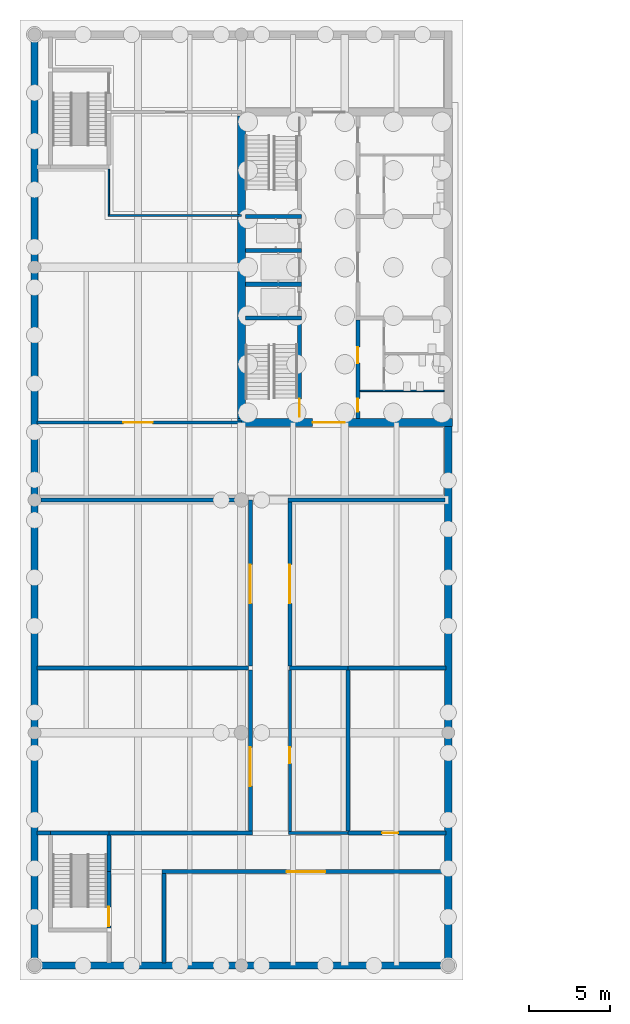
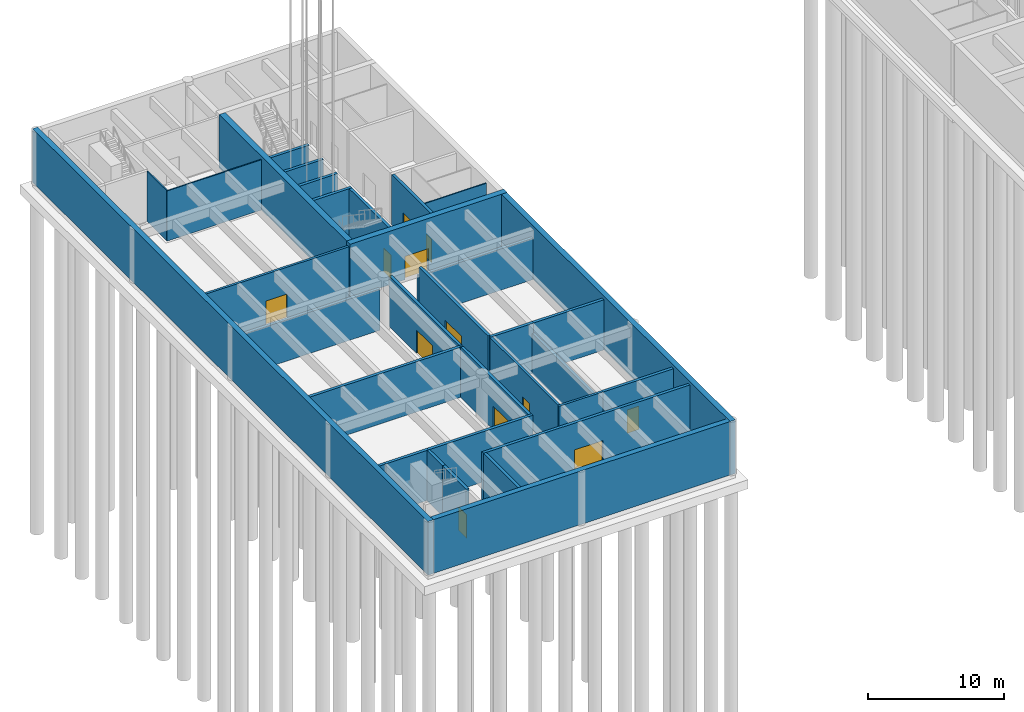
# One storey, part 3 of 24: 34 walls, 12 doors, 12 openings.
"""IFC4 building model written with IfcOpenShell, lengths in metres."""

import ifcopenshell
import ifcopenshell.guid

model = None  # the IFC model being written
_history = None  # IfcOwnerHistory: only IFC2X3 demands one
_inside = {}  # id of a spatial element -> (the spatial element, [elements in it])
_under = {}  # id of a project, library or spatial element -> (it, [spatial elements below it])
_declared = {}  # id of a project -> (the project, [libraries it declares])
_typed = {}  # id of a type object -> (the type object, [elements of that type])
_made_of = {}  # id of a material, layer set ... -> (it, [elements and type objects made of it])


def new_model(schema):
    """Start an empty IFC model of exactly this schema.

    Asked for "IFC4X3", IfcOpenShell would pick the latest addendum, in which some entities
    have other attributes; the version numbers below select the first issue.
    IFC2X3 requires an IfcOwnerHistory on every rooted entity: one is made here for all.
    """
    global model, _history
    if schema == "IFC4X3":
        model = ifcopenshell.file(schema_version=(4, 3, 0, 0))
    else:
        model = ifcopenshell.file(schema=schema)
    _inside.clear()
    _under.clear()
    _declared.clear()
    _typed.clear()
    _made_of.clear()
    _history = None
    if model.schema == "IFC2X3":
        org = make("IfcOrganization", Name="unknown")
        user = make(
            "IfcPersonAndOrganization",
            ThePerson=make("IfcPerson", FamilyName="unknown"),
            TheOrganization=org,
        )
        app = make(
            "IfcApplication",
            ApplicationDeveloper=org,
            Version="unknown",
            ApplicationFullName="unknown",
            ApplicationIdentifier="unknown",
        )
        _history = make(
            "IfcOwnerHistory",
            OwningUser=user,
            OwningApplication=app,
            ChangeAction="ADDED",
            CreationDate=0,
        )
    return model


def make(cls, **values):
    """One entity of the class cls with the attributes given. An attribute that is None is left unset."""
    return model.create_entity(
        cls, **{name: value for name, value in values.items() if value is not None}
    )


def rooted(cls, **values):
    """An entity with a GlobalId (a new one), such as an element, a storey or a relation."""
    return make(cls, GlobalId=ifcopenshell.guid.new(), OwnerHistory=_history, **values)


def si_unit(unit_type, name, prefix=None):
    """IfcSIUnit, for example si_unit("LENGTHUNIT", "METRE", prefix="MILLI")."""
    return make("IfcSIUnit", UnitType=unit_type, Prefix=prefix, Name=name)


def assignment(units):
    """IfcUnitAssignment: the units of a project."""
    return None if units is None else make("IfcUnitAssignment", Units=units)


def point(xyz):
    """IfcCartesianPoint."""
    return None if xyz is None else make("IfcCartesianPoint", Coordinates=xyz)


def direction(xyz):
    """IfcDirection."""
    return None if xyz is None else make("IfcDirection", DirectionRatios=xyz)


def frame(location, z_axis=None, x_axis=None):
    """IfcAxis2Placement3D, a coordinate frame: its origin and axes. An axis left out is left unset."""
    return make(
        "IfcAxis2Placement3D",
        Location=point(location),
        Axis=direction(z_axis),
        RefDirection=direction(x_axis),
    )


def frame_2d(location, x_axis=None):
    """IfcAxis2Placement2D, a coordinate frame in the plane: its origin and x axis."""
    return make(
        "IfcAxis2Placement2D", Location=point(location), RefDirection=direction(x_axis)
    )


def origin():
    """The frame at (0, 0, 0) with its axes left unset."""
    return frame((0.0, 0.0, 0.0))


def place(relative_to, where):
    """IfcLocalPlacement: puts the frame where relative to a parent placement (None: the world)."""
    return make(
        "IfcLocalPlacement", PlacementRelTo=relative_to, RelativePlacement=where
    )


def context(
    kind, dimensions, precision=None, world=None, true_north=None, identifier=None
):
    """IfcGeometricRepresentationContext, for example the 3D "Model" context."""
    return make(
        "IfcGeometricRepresentationContext",
        ContextIdentifier=identifier,
        ContextType=kind,
        CoordinateSpaceDimension=dimensions,
        Precision=precision,
        WorldCoordinateSystem=world,
        TrueNorth=true_north,
    )


def subcontext(parent, identifier, kind, view, scale=None):
    """IfcGeometricRepresentationSubContext, for example "Body" below "Model"."""
    return make(
        "IfcGeometricRepresentationSubContext",
        ContextIdentifier=identifier,
        ContextType=kind,
        ParentContext=parent,
        TargetScale=scale,
        TargetView=view,
    )


def project(units=None, contexts=None):
    """IfcProject with its units and contexts."""
    return rooted(
        "IfcProject",
        Name="project",
        RepresentationContexts=contexts,
        UnitsInContext=assignment(units),
    )


def spatial(cls, under=None, at=None, **own):
    """A site, building, storey or space (cls), placed at a placement, below another one or the project."""
    s = rooted(cls, ObjectPlacement=at, **own)
    if under is not None:
        _under.setdefault(under.id(), (under, []))[1].append(s)
    return s


def profile(cls, at=None, kind="AREA", **sizes):
    """A parametric profile (cls). Its sizes go by their IFC names, for example OverallWidth=200.0."""
    return make(cls, ProfileType=kind, Position=at, **sizes)


def rectangle(**sizes):
    """IfcRectangleProfileDef."""
    return profile("IfcRectangleProfileDef", **sizes)


def extrude(swept, where, along, depth):
    """IfcExtrudedAreaSolid: the profile swept, set in the frame where, extruded along a direction by depth."""
    return make(
        "IfcExtrudedAreaSolid",
        SweptArea=swept,
        Position=where,
        ExtrudedDirection=direction(along),
        Depth=depth,
    )


def shape(context_of_items, identifier, shape_type, items):
    """IfcShapeRepresentation: the items that make up one representation, for example the "Body"."""
    return make(
        "IfcShapeRepresentation",
        ContextOfItems=context_of_items,
        RepresentationIdentifier=identifier,
        RepresentationType=shape_type,
        Items=items,
    )


def material(Name=None, Category=None):
    """IfcMaterial."""
    return make("IfcMaterial", Name=Name, Category=Category)


def layer(
    of_material, thickness, ventilated=None, Name=None, Category=None, Priority=None
):
    """IfcMaterialLayer: one layer of a wall or slab, of a material (None: an air gap)."""
    return make(
        "IfcMaterialLayer",
        Material=of_material,
        LayerThickness=thickness,
        IsVentilated=ventilated,
        Name=Name,
        Category=Category,
        Priority=Priority,
    )


def layer_set(layers, Name=None):
    """IfcMaterialLayerSet."""
    return make("IfcMaterialLayerSet", MaterialLayers=layers, LayerSetName=Name)


def made_of(thing, what):
    """Note that an element or type object is made of a material, layer set ...; save() writes the relation."""
    if what is not None:
        _made_of.setdefault(what.id(), (what, []))[1].append(thing)
    return thing


def type_object(cls, material=None, **own):
    """A type object (cls), such as IfcWallType, which elements share."""
    return made_of(rooted(cls, **own), material)


def element(
    cls,
    number,
    at=None,
    inside=None,
    cuts=None,
    type_object=None,
    material=None,
    context=None,
    identifier="Body",
    shape_type=None,
    held_by="IfcProductDefinitionShape",
    body=None,
    shapes=None,
    **own,
):
    """One element of the class cls, such as IfcWall. Its Tag is "e" and its number.

    at: its placement. inside: the storey or other place that contains it. cuts: it is an
    opening in that element (IfcRelVoidsElement). A single representation is given by context,
    identifier, shape_type and body (its items); several are given by shapes. held_by: the class
    of the entity that holds the representations. save() writes the other relations.
    """
    e = rooted(cls, Tag="e%d" % number, ObjectPlacement=at, **own)
    if body is not None:
        shapes = [shape(context, identifier, shape_type, body)]
    if shapes is not None:
        e.Representation = make(held_by, Representations=shapes)
    if inside is not None:
        _inside.setdefault(inside.id(), (inside, []))[1].append(e)
    if cuts is not None:
        rooted(
            "IfcRelVoidsElement", RelatingBuildingElement=cuts, RelatedOpeningElement=e
        )
    if type_object is not None:
        _typed.setdefault(type_object.id(), (type_object, []))[1].append(e)
    return made_of(e, material)


def fill(opening, filler):
    """IfcRelFillsElement: the door or window that sits in an opening."""
    return rooted(
        "IfcRelFillsElement",
        RelatingOpeningElement=opening,
        RelatedBuildingElement=filler,
    )


def aggregate(whole, parts):
    """IfcRelAggregates: a whole, such as a stair, and the parts it consists of."""
    return rooted("IfcRelAggregates", RelatingObject=whole, RelatedObjects=parts)


def save(model, path):
    """Write the relations noted so far, then the file.

    IfcRelAggregates (storeys below a building ...), IfcRelContainedInSpatialStructure (elements
    in a storey), IfcRelDefinesByType, IfcRelAssociatesMaterial and IfcRelDeclares: one each for
    every whole, place, type object, material and project.
    """
    for whole, parts in _under.values():
        aggregate(whole, parts)
    for where, things in _inside.values():
        rooted(
            "IfcRelContainedInSpatialStructure",
            RelatedElements=things,
            RelatingStructure=where,
        )
    for kind, things in _typed.values():
        rooted("IfcRelDefinesByType", RelatedObjects=things, RelatingType=kind)
    for what, things in _made_of.values():
        rooted("IfcRelAssociatesMaterial", RelatedObjects=things, RelatingMaterial=what)
    for by, libraries in _declared.values():
        rooted("IfcRelDeclares", RelatingContext=by, RelatedDefinitions=libraries)
    model.write(path)


model = new_model("IFC4")

# Units and contexts
model_context = context("Model", 3, precision=1e-05, world=origin(), true_north=direction((0.0, 1.0)))
body_context = subcontext(model_context, "Body", "Model", "MODEL_VIEW")
ifc_project = project(units=[si_unit("LENGTHUNIT", "METRE"), si_unit("AREAUNIT", "SQUARE_METRE"), si_unit("VOLUMEUNIT", "CUBIC_METRE"), si_unit("PLANEANGLEUNIT", "RADIAN"), si_unit("MASSUNIT", "GRAM", prefix="KILO")], contexts=[model_context])

# Site, building, storey
site_placement = place(None, origin())
site = spatial("IfcSite", under=ifc_project, at=site_placement, CompositionType="ELEMENT")
building_placement = place(site_placement, origin())
building = spatial("IfcBuilding", under=site, at=building_placement, Name="Fogon Plaza Fire Station and Headquarters Tower", CompositionType="ELEMENT")
storey_placement = place(building_placement, frame((0.0, 0.0, -4.800048828125)))
storey = spatial("IfcBuildingStorey", under=building, at=storey_placement, Name="B1", CompositionType="ELEMENT", Elevation=-4.800048828125)

# Wall
ifc_material_1 = material(Name="Concrete Block Fire Wall", Category="concrete")
ifc_layer_1 = layer(ifc_material_1, 0.199951171875)
ifc_layer_set_1 = layer_set([ifc_layer_1], Name="Concrete Block Fire Wall")
wall_type_1 = type_object("IfcWallType", Name="Compartment Wall EI 120", PredefinedType="PARTITIONING", material=ifc_layer_set_1)
wall_1_placement = place(storey_placement, frame((15.699951171875, 8.199951171875, 0.0), z_axis=(0.0, 0.0, 1.0), x_axis=(1.0, 0.0, 0.0)))
element("IfcWall", 1, at=wall_1_placement, inside=storey, type_object=wall_type_1, Name="wall-B1-W-006", PredefinedType="PARTITIONING", context=body_context, shape_type="SweptSolid", body=[
    extrude(rectangle(XDim=3.699951171875, YDim=0.199951171875, at=frame_2d((1.85009765625, 0.0))), origin(), (0.0, 0.0, 1.0), 4.5),
])

# Wall, opening, door
wall_2_placement = place(storey_placement, frame((15.800048828125, 8.300048828125, 0.0), z_axis=(0.0, 0.0, 1.0), x_axis=(0.0, 1.0, 0.0)))
wall_2 = element("IfcWall", 2, at=wall_2_placement, inside=storey, type_object=wall_type_1, Name="wall-B1-W-031", PredefinedType="PARTITIONING", context=body_context, shape_type="SweptSolid", body=[
    extrude(rectangle(XDim=9.974853515625, YDim=0.199951171875, at=frame_2d((4.9873046875, 0.0))), origin(), (0.0, 0.0, 1.0), 4.5),
])
opening_1_placement = place(wall_2_placement, frame((4.199951171875, 0.0, 0.0)))
opening_1 = element("IfcOpeningElement", 3, at=opening_1_placement, cuts=wall_2, Name="Opening B1-D35", PredefinedType="OPENING", context=body_context, shape_type="SweptSolid", body=[
    extrude(rectangle(XDim=1.0, YDim=2.10009765625, at=frame_2d((0.5, 1.050048828125))), frame((0.0, 0.10986328125, 0.0), z_axis=(0.0, -1.0, 0.0), x_axis=(1.0, 0.0, 0.0)), (0.0, 0.0, 1.0), 0.219970703125),
])
ifc_material_2 = material(Name="Steel Fire Door Leaf", Category="steel")
door_type_1 = type_object("IfcDoorType", Name="Fire Door EI 90 1000x2100", OperationType="SINGLE_SWING_LEFT", PredefinedType="DOOR", material=ifc_material_2)
door_1_placement = place(opening_1_placement, frame((1.0, 0.0, 0.0), z_axis=(0.0, 0.0, 1.0), x_axis=(-1.0, 0.0, 0.0)))
door_1 = element("IfcDoor", 4, at=door_1_placement, inside=storey, type_object=door_type_1, Name="door-B1-W-05", OperationType="SINGLE_SWING_RIGHT", OverallHeight=2.10009765625, OverallWidth=1.0, PredefinedType="DOOR", context=body_context, shape_type="SweptSolid", body=[
    extrude(rectangle(XDim=1.0, YDim=2.10009765625, at=frame_2d((0.5, 1.050048828125))), frame((0.0, 0.02490234375, 0.0), z_axis=(0.0, -1.0, 0.0), x_axis=(1.0, 0.0, 0.0)), (0.0, 0.0, 1.0), 0.050048828125),
])
fill(opening_1, door_1)

# Walls
ifc_material_3 = material(Name="Concrete C40", Category="concrete")
ifc_layer_2 = layer(ifc_material_3, 0.25)
ifc_layer_set_2 = layer_set([ifc_layer_2], Name="Concrete C40")
wall_type_2 = type_object("IfcWallType", Name="Core Wall RC 250", PredefinedType="SOLIDWALL", material=ifc_layer_set_2)
for number, where, z_axis, x_axis, name in (
    (5, (13.050048828125, 40.050048828125, 0.0), (0.0, 0.0, 1.0), (1.0, 0.0, 0.0), "Core A shaft wall"),
    (6, (13.050048828125, 42.14990234375, 0.0), (0.0, 0.0, 1.0), (1.0, 0.0, 0.0), "Core A shaft wall"),
    (7, (13.050048828125, 44.25, 0.0), (0.0, 0.0, 1.0), (1.0, 0.0, 0.0), "Core A shaft wall"),
    (8, (13.050048828125, 46.35009765625, 0.0), (0.0, 0.0, 1.0), (1.0, 0.0, 0.0), "Core A shaft wall"),
):
    element("IfcWall", number, at=place(storey_placement, frame(where, z_axis=z_axis, x_axis=x_axis)), inside=storey, type_object=wall_type_2, Name=name, PredefinedType="SOLIDWALL", context=body_context, shape_type="SweptSolid", body=[
        extrude(rectangle(XDim=3.474853515625, YDim=0.25, at=frame_2d((1.7373046875, 0.0))), origin(), (0.0, 0.0, 1.0), 4.5),
    ])

# Wall, opening, door
wall_3_placement = place(storey_placement, frame((16.39990234375, 33.85009765625, 0.0), z_axis=(0.0, 0.0, 1.0), x_axis=(0.0, 1.0, 0.0)))
wall_3 = element("IfcWall", 9, at=wall_3_placement, inside=storey, type_object=wall_type_2, Name="Core A shaft wall", PredefinedType="SOLIDWALL", context=body_context, shape_type="SweptSolid", body=[
    extrude(rectangle(XDim=6.074951171875, YDim=0.25, at=frame_2d((3.03759765625, 0.0))), origin(), (0.0, 0.0, 1.0), 4.5),
])
opening_2_placement = place(wall_3_placement, frame((0.10009765625, 0.0, 0.0)))
opening_2 = element("IfcOpeningElement", 10, at=opening_2_placement, cuts=wall_3, Name="Opening B1-D01", PredefinedType="OPENING", context=body_context, shape_type="SweptSolid", body=[
    extrude(rectangle(XDim=1.10009765625, YDim=2.10009765625, at=frame_2d((0.550048828125, 1.050048828125))), frame((0.0, 0.135009765625, 0.0), z_axis=(0.0, -1.0, 0.0), x_axis=(1.0, 0.0, 0.0)), (0.0, 0.0, 1.0), 0.27001953125),
])
ifc_material_4 = material(Name="Steel Fire Door Leaf", Category="steel")
door_type_2 = type_object("IfcDoorType", Name="Stair Door Single 1100x2100", OperationType="SINGLE_SWING_LEFT", PredefinedType="DOOR", material=ifc_material_4)
door_2_placement = place(opening_2_placement, origin())
door_2 = element("IfcDoor", 11, at=door_2_placement, inside=storey, type_object=door_type_2, Name="Stair door ST1", OperationType="SINGLE_SWING_LEFT", OverallHeight=2.10009765625, OverallWidth=1.10009765625, PredefinedType="DOOR", context=body_context, shape_type="SweptSolid", body=[
    extrude(rectangle(XDim=1.10009765625, YDim=2.10009765625, at=frame_2d((0.550048828125, 1.050048828125))), frame((0.0, 0.02490234375, 0.0), z_axis=(0.0, -1.0, 0.0), x_axis=(1.0, 0.0, 0.0)), (0.0, 0.0, 1.0), 0.050048828125),
])
fill(opening_2, door_2)

# Wall, openings, doors
wall_4_placement = place(storey_placement, frame((20.0, 33.85009765625, 0.0), z_axis=(0.0, 0.0, 1.0), x_axis=(0.0, 1.0, 0.0)))
wall_4 = element("IfcWall", 12, at=wall_4_placement, inside=storey, type_object=wall_type_2, Name="Core A shaft wall", PredefinedType="SOLIDWALL", context=body_context, shape_type="SweptSolid", body=[
    extrude(rectangle(XDim=6.074951171875, YDim=0.25, at=frame_2d((3.03759765625, 0.0))), origin(), (0.0, 0.0, 1.0), 4.5),
])
opening_3_placement = place(wall_4_placement, frame((0.425048828125, 0.0, 0.0)))
opening_3 = element("IfcOpeningElement", 13, at=opening_3_placement, cuts=wall_4, Name="Opening B1-D07", PredefinedType="OPENING", context=body_context, shape_type="SweptSolid", body=[
    extrude(rectangle(XDim=0.800048828125, YDim=2.10009765625, at=frame_2d((0.39990234375, 1.050048828125))), frame((0.0, 0.135009765625, 0.0), z_axis=(0.0, -1.0, 0.0), x_axis=(1.0, 0.0, 0.0)), (0.0, 0.0, 1.0), 0.27001953125),
])
opening_4_placement = place(wall_4_placement, frame((3.41259765625, 0.0, 0.0)))
opening_4 = element("IfcOpeningElement", 14, at=opening_4_placement, cuts=wall_4, Name="Opening B1-D08", PredefinedType="OPENING", context=body_context, shape_type="SweptSolid", body=[
    extrude(rectangle(XDim=1.0, YDim=2.10009765625, at=frame_2d((0.5, 1.050048828125))), frame((0.0, 0.135009765625, 0.0), z_axis=(0.0, -1.0, 0.0), x_axis=(1.0, 0.0, 0.0)), (0.0, 0.0, 1.0), 0.27001953125),
])
ifc_material_5 = material(Name="Timber Door Leaf", Category="wood")
door_type_3 = type_object("IfcDoorType", Name="Cleaner Store Single 800x2100", OperationType="SINGLE_SWING_LEFT", PredefinedType="DOOR", material=ifc_material_5)
door_3_placement = place(opening_3_placement, frame((0.800048828125, 0.0, 0.0), z_axis=(0.0, 0.0, 1.0), x_axis=(-1.0, 0.0, 0.0)))
door_3 = element("IfcDoor", 15, at=door_3_placement, inside=storey, type_object=door_type_3, Name="Cleaner's store A door", OperationType="SINGLE_SWING_LEFT", OverallHeight=2.10009765625, OverallWidth=0.800048828125, PredefinedType="DOOR", context=body_context, shape_type="SweptSolid", body=[
    extrude(rectangle(XDim=0.800048828125, YDim=2.10009765625, at=frame_2d((0.39990234375, 1.050048828125))), frame((0.0, 0.02490234375, 0.0), z_axis=(0.0, -1.0, 0.0), x_axis=(1.0, 0.0, 0.0)), (0.0, 0.0, 1.0), 0.050048828125),
])
fill(opening_3, door_3)
ifc_material_6 = material(Name="Timber fire door", Category="wood")
door_type_4 = type_object("IfcDoorType", Name="WC Lobby Single 1000x2100", OperationType="SINGLE_SWING_LEFT", PredefinedType="DOOR", material=ifc_material_6)
door_4_placement = place(opening_4_placement, frame((1.0, 0.0, 0.0), z_axis=(0.0, 0.0, 1.0), x_axis=(-1.0, 0.0, 0.0)))
door_4 = element("IfcDoor", 16, at=door_4_placement, inside=storey, type_object=door_type_4, Name="Men's WC lobby A door", OperationType="SINGLE_SWING_RIGHT", OverallHeight=2.10009765625, OverallWidth=1.0, PredefinedType="DOOR", context=body_context, shape_type="SweptSolid", body=[
    extrude(rectangle(XDim=1.0, YDim=2.10009765625, at=frame_2d((0.5, 1.050048828125))), frame((0.0, 0.02490234375, 0.0), z_axis=(0.0, -1.0, 0.0), x_axis=(1.0, 0.0, 0.0)), (0.0, 0.0, 1.0), 0.050048828125),
])
fill(opening_4, door_4)

# Wall, opening, door
ifc_material_7 = material(Name="Gypsum Board Fire Partition")
ifc_layer_3 = layer(ifc_material_7, 0.199951171875)
ifc_layer_set_3 = layer_set([ifc_layer_3], Name="Gypsum Board Fire Partition")
wall_type_3 = type_object("IfcWallType", Name="Corridor Wall EI 60", PredefinedType="PARTITIONING", material=ifc_layer_set_3)
wall_5_placement = place(storey_placement, frame((0.14990234375, 33.60009765625, 0.0), z_axis=(0.0, 0.0, 1.0), x_axis=(1.0, 0.0, 0.0)))
wall_5 = element("IfcWall", 17, at=wall_5_placement, inside=storey, type_object=wall_type_3, Name="wall-B1-W-013", PredefinedType="PARTITIONING", context=body_context, shape_type="SweptSolid", body=[
    extrude(rectangle(XDim=12.650146484375, YDim=0.199951171875, at=frame_2d((6.3251953125, 0.0))), origin(), (0.0, 0.0, 1.0), 4.5),
])
opening_5_placement = place(wall_5_placement, frame((5.35009765625, 0.0, 0.0)))
opening_5 = element("IfcOpeningElement", 18, at=opening_5_placement, cuts=wall_5, Name="Opening B1-D38", PredefinedType="OPENING", context=body_context, shape_type="SweptSolid", body=[
    extrude(rectangle(XDim=1.800048828125, YDim=2.10009765625, at=frame_2d((0.89990234375, 1.050048828125))), frame((0.0, 0.10986328125, 0.0), z_axis=(0.0, -1.0, 0.0), x_axis=(1.0, 0.0, 0.0)), (0.0, 0.0, 1.0), 0.219970703125),
])
ifc_material_8 = material(Name="Steel Fire Door Leaf", Category="steel")
door_type_5 = type_object("IfcDoorType", Name="Corridor Door Double EI 20 1800x2100", OperationType="SINGLE_SWING_LEFT", PredefinedType="DOOR", material=ifc_material_8)
door_5_placement = place(opening_5_placement, origin())
door_5 = element("IfcDoor", 19, at=door_5_placement, inside=storey, type_object=door_type_5, Name="door-B1-W-08", OperationType="DOUBLE_DOOR_SINGLE_SWING", OverallHeight=2.10009765625, OverallWidth=1.800048828125, PredefinedType="DOOR", context=body_context, shape_type="SweptSolid", body=[
    extrude(rectangle(XDim=1.800048828125, YDim=2.10009765625, at=frame_2d((0.89990234375, 1.050048828125))), frame((0.0, 0.02490234375, 0.0), z_axis=(0.0, -1.0, 0.0), x_axis=(1.0, 0.0, 0.0)), (0.0, 0.0, 1.0), 0.050048828125),
])
fill(opening_5, door_5)

# Walls
ifc_material_9 = material(Name="Blockwork", Category="masonry")
ifc_layer_4 = layer(ifc_material_9, 0.10009765625)
ifc_layer_set_4 = layer_set([ifc_layer_4], Name="Blockwork")
wall_type_4 = type_object("IfcWallType", Name="Partition Blockwork 100", PredefinedType="PARTITIONING", material=ifc_layer_set_4)
wall_6_placement = place(storey_placement, frame((20.125, 35.550048828125, 0.0), z_axis=(0.0, 0.0, 1.0), x_axis=(1.0, 0.0, 0.0)))
element("IfcWall", 20, at=wall_6_placement, inside=storey, type_object=wall_type_4, Name="Cleaner's store partition", PredefinedType="PARTITIONING", context=body_context, shape_type="SweptSolid", body=[
    extrude(rectangle(XDim=5.22509765625, YDim=0.10009765625, at=frame_2d((2.612548828125, 0.0))), origin(), (0.0, 0.0, 1.0), 4.5),
])
ifc_material_10 = material(Name="Gypsum Board Partition")
ifc_layer_5 = layer(ifc_material_10, 0.10009765625)
ifc_layer_set_5 = layer_set([ifc_layer_5], Name="Gypsum Board Partition")
wall_type_5 = type_object("IfcWallType", Name="Partition Gypsum 100", PredefinedType="PARTITIONING", material=ifc_layer_set_5)
wall_7_placement = place(storey_placement, frame((4.550048828125, 46.39990234375, 0.0), z_axis=(0.0, 0.0, 1.0), x_axis=(1.0, 0.0, 0.0)))
element("IfcWall", 21, at=wall_7_placement, inside=storey, type_object=wall_type_5, Name="wall-B1-W-014", PredefinedType="PARTITIONING", context=body_context, shape_type="SweptSolid", body=[
    extrude(rectangle(XDim=8.25, YDim=0.10009765625, at=frame_2d((4.125, 0.0))), origin(), (0.0, 0.0, 1.0), 4.5),
])
wall_8_placement = place(storey_placement, frame((4.60009765625, 46.449951171875, 0.0), z_axis=(0.0, 0.0, 1.0), x_axis=(0.0, 1.0, 0.0)))
element("IfcWall", 22, at=wall_8_placement, inside=storey, type_object=wall_type_5, Name="wall-B1-W-025", PredefinedType="PARTITIONING", context=body_context, shape_type="SweptSolid", body=[
    extrude(rectangle(XDim=2.824951171875, YDim=0.10009765625, at=frame_2d((1.41259765625, 0.0))), origin(), (0.0, 0.0, 1.0), 4.5),
])

# Wall, opening, door
ifc_material_11 = material(Name="Reinforced Concrete Block Fire Wall", Category="concrete")
ifc_layer_6 = layer(ifc_material_11, 0.25)
ifc_layer_set_6 = layer_set([ifc_layer_6], Name="Reinforced Concrete Block Fire Wall")
wall_type_6 = type_object("IfcWallType", Name="Plant Room Wall EI 120 250", PredefinedType="PARTITIONING", material=ifc_layer_set_6)
wall_9_placement = place(storey_placement, frame((7.875, 5.800048828125, 0.0), z_axis=(0.0, 0.0, 1.0), x_axis=(1.0, 0.0, 0.0)))
wall_9 = element("IfcWall", 23, at=wall_9_placement, inside=storey, type_object=wall_type_6, Name="wall-B1-W-002", PredefinedType="PARTITIONING", context=body_context, shape_type="SweptSolid", body=[
    extrude(rectangle(XDim=17.574951171875, YDim=0.25, at=frame_2d((8.78759765625, 0.0))), origin(), (0.0, 0.0, 1.0), 4.5),
])
opening_6_placement = place(wall_9_placement, frame((7.72509765625, 0.0, 0.0)))
opening_6 = element("IfcOpeningElement", 24, at=opening_6_placement, cuts=wall_9, Name="Opening B1-D32", PredefinedType="OPENING", context=body_context, shape_type="SweptSolid", body=[
    extrude(rectangle(XDim=2.39990234375, YDim=2.10009765625, at=frame_2d((1.199951171875, 1.050048828125))), frame((0.0, 0.135009765625, 0.0), z_axis=(0.0, -1.0, 0.0), x_axis=(1.0, 0.0, 0.0)), (0.0, 0.0, 1.0), 0.27001953125),
])
ifc_material_12 = material(Name="Steel Fire Door Leaf", Category="steel")
door_type_6 = type_object("IfcDoorType", Name="Fire Door Double EI 90 2400x2100", OperationType="SINGLE_SWING_LEFT", PredefinedType="DOOR", material=ifc_material_12)
door_6_placement = place(opening_6_placement, frame((2.39990234375, 0.0, 0.0), z_axis=(0.0, 0.0, 1.0), x_axis=(-1.0, 0.0, 0.0)))
door_6 = element("IfcDoor", 25, at=door_6_placement, inside=storey, type_object=door_type_6, Name="door-B1-W-02", OperationType="DOUBLE_DOOR_SINGLE_SWING", OverallHeight=2.10009765625, OverallWidth=2.39990234375, PredefinedType="DOOR", context=body_context, shape_type="SweptSolid", body=[
    extrude(rectangle(XDim=2.39990234375, YDim=2.10009765625, at=frame_2d((1.199951171875, 1.050048828125))), frame((0.0, 0.02490234375, 0.0), z_axis=(0.0, -1.0, 0.0), x_axis=(1.0, 0.0, 0.0)), (0.0, 0.0, 1.0), 0.050048828125),
])
fill(opening_6, door_6)

# Wall
wall_10_placement = place(storey_placement, frame((4.60009765625, 8.199951171875, 0.0), z_axis=(0.0, 0.0, 1.0), x_axis=(1.0, 0.0, 0.0)))
element("IfcWall", 26, at=wall_10_placement, inside=storey, type_object=wall_type_6, Name="wall-B1-W-005", PredefinedType="PARTITIONING", context=body_context, shape_type="SweptSolid", body=[
    extrude(rectangle(XDim=8.875, YDim=0.25, at=frame_2d((4.4375, 0.0))), origin(), (0.0, 0.0, 1.0), 4.5),
])

# Wall, opening, door
wall_11_placement = place(storey_placement, frame((19.39990234375, 8.199951171875, 0.0), z_axis=(0.0, 0.0, 1.0), x_axis=(1.0, 0.0, 0.0)))
wall_11 = element("IfcWall", 27, at=wall_11_placement, inside=storey, type_object=wall_type_6, Name="wall-B1-W-007", PredefinedType="PARTITIONING", context=body_context, shape_type="SweptSolid", body=[
    extrude(rectangle(XDim=6.050048828125, YDim=0.25, at=frame_2d((3.02490234375, 0.0))), origin(), (0.0, 0.0, 1.0), 4.5),
])
opening_7_placement = place(wall_11_placement, frame((2.10009765625, 0.0, 0.0)))
opening_7 = element("IfcOpeningElement", 28, at=opening_7_placement, cuts=wall_11, Name="Opening B1-D36", PredefinedType="OPENING", context=body_context, shape_type="SweptSolid", body=[
    extrude(rectangle(XDim=1.0, YDim=2.10009765625, at=frame_2d((0.5, 1.050048828125))), frame((0.0, 0.135009765625, 0.0), z_axis=(0.0, -1.0, 0.0), x_axis=(1.0, 0.0, 0.0)), (0.0, 0.0, 1.0), 0.27001953125),
])
door_7_placement = place(opening_7_placement, origin())
door_7 = element("IfcDoor", 29, at=door_7_placement, inside=storey, type_object=door_type_1, Name="door-B1-W-06", OperationType="SINGLE_SWING_LEFT", OverallHeight=2.10009765625, OverallWidth=1.0, PredefinedType="DOOR", context=body_context, shape_type="SweptSolid", body=[
    extrude(rectangle(XDim=1.0, YDim=2.10009765625, at=frame_2d((0.5, 1.050048828125))), frame((0.0, 0.02490234375, 0.0), z_axis=(0.0, -1.0, 0.0), x_axis=(1.0, 0.0, 0.0)), (0.0, 0.0, 1.0), 0.050048828125),
])
fill(opening_7, door_7)

# Walls
wall_12_placement = place(storey_placement, frame((0.14990234375, 18.39990234375, 0.0), z_axis=(0.0, 0.0, 1.0), x_axis=(1.0, 0.0, 0.0)))
element("IfcWall", 30, at=wall_12_placement, inside=storey, type_object=wall_type_6, Name="wall-B1-W-008", PredefinedType="PARTITIONING", context=body_context, shape_type="SweptSolid", body=[
    extrude(rectangle(XDim=13.0751953125, YDim=0.25, at=frame_2d((6.53759765625, 0.0))), origin(), (0.0, 0.0, 1.0), 4.5),
])
wall_13_placement = place(storey_placement, frame((15.7900390625, 18.39990234375, 0.0), z_axis=(0.0, 0.0, 1.0), x_axis=(1.0, 0.0, 0.0)))
element("IfcWall", 31, at=wall_13_placement, inside=storey, type_object=wall_type_6, Name="wall-B1-W-009", PredefinedType="PARTITIONING", context=body_context, shape_type="SweptSolid", body=[
    extrude(rectangle(XDim=3.60986328125, YDim=0.25, at=frame_2d((1.804931640625, 0.0))), origin(), (0.0, 0.0, 1.0), 4.5),
])
wall_14_placement = place(storey_placement, frame((19.39990234375, 18.39990234375, 0.0), z_axis=(0.0, 0.0, 1.0), x_axis=(1.0, 0.0, 0.0)))
element("IfcWall", 32, at=wall_14_placement, inside=storey, type_object=wall_type_6, Name="wall-B1-W-010", PredefinedType="PARTITIONING", context=body_context, shape_type="SweptSolid", body=[
    extrude(rectangle(XDim=6.050048828125, YDim=0.25, at=frame_2d((3.02490234375, 0.0))), origin(), (0.0, 0.0, 1.0), 4.5),
])
wall_15_placement = place(storey_placement, frame((8.0, 0.14990234375, 0.0), z_axis=(0.0, 0.0, 1.0), x_axis=(0.0, 1.0, 0.0)))
element("IfcWall", 33, at=wall_15_placement, inside=storey, type_object=wall_type_6, Name="wall-B1-W-028", PredefinedType="PARTITIONING", context=body_context, shape_type="SweptSolid", body=[
    extrude(rectangle(XDim=5.525146484375, YDim=0.25, at=frame_2d((2.7626953125, 0.0))), origin(), (0.0, 0.0, 1.0), 4.5),
])

# Wall, opening, door
wall_16_placement = place(storey_placement, frame((13.35009765625, 8.324951171875, 0.0), z_axis=(0.0, 0.0, 1.0), x_axis=(0.0, 1.0, 0.0)))
wall_16 = element("IfcWall", 34, at=wall_16_placement, inside=storey, type_object=wall_type_6, Name="wall-B1-W-029", PredefinedType="PARTITIONING", context=body_context, shape_type="SweptSolid", body=[
    extrude(rectangle(XDim=9.949951171875, YDim=0.25, at=frame_2d((4.97509765625, 0.0))), origin(), (0.0, 0.0, 1.0), 4.5),
])
opening_8_placement = place(wall_16_placement, frame((2.77490234375, 0.0, 0.0)))
opening_8 = element("IfcOpeningElement", 35, at=opening_8_placement, cuts=wall_16, Name="Opening B1-D33", PredefinedType="OPENING", context=body_context, shape_type="SweptSolid", body=[
    extrude(rectangle(XDim=2.39990234375, YDim=2.10009765625, at=frame_2d((1.199951171875, 1.050048828125))), frame((0.0, 0.135009765625, 0.0), z_axis=(0.0, -1.0, 0.0), x_axis=(1.0, 0.0, 0.0)), (0.0, 0.0, 1.0), 0.27001953125),
])
door_8_placement = place(opening_8_placement, origin())
door_8 = element("IfcDoor", 36, at=door_8_placement, inside=storey, type_object=door_type_6, Name="door-B1-W-03", OperationType="DOUBLE_DOOR_SINGLE_SWING", OverallHeight=2.10009765625, OverallWidth=2.39990234375, PredefinedType="DOOR", context=body_context, shape_type="SweptSolid", body=[
    extrude(rectangle(XDim=2.39990234375, YDim=2.10009765625, at=frame_2d((1.199951171875, 1.050048828125))), frame((0.0, 0.02490234375, 0.0), z_axis=(0.0, -1.0, 0.0), x_axis=(1.0, 0.0, 0.0)), (0.0, 0.0, 1.0), 0.050048828125),
])
fill(opening_8, door_8)

wall_17_placement = place(storey_placement, frame((13.35009765625, 18.52490234375, 0.0), z_axis=(0.0, 0.0, 1.0), x_axis=(0.0, 1.0, 0.0)))
wall_17 = element("IfcWall", 37, at=wall_17_placement, inside=storey, type_object=wall_type_6, Name="wall-B1-W-030", PredefinedType="PARTITIONING", context=body_context, shape_type="SweptSolid", body=[
    extrude(rectangle(XDim=10.275146484375, YDim=0.25, at=frame_2d((5.1376953125, 0.0))), origin(), (0.0, 0.0, 1.0), 4.5),
])
opening_9_placement = place(wall_17_placement, frame((3.875, 0.0, 0.0)))
opening_9 = element("IfcOpeningElement", 38, at=opening_9_placement, cuts=wall_17, Name="Opening B1-D34", PredefinedType="OPENING", context=body_context, shape_type="SweptSolid", body=[
    extrude(rectangle(XDim=2.39990234375, YDim=2.10009765625, at=frame_2d((1.199951171875, 1.050048828125))), frame((0.0, 0.135009765625, 0.0), z_axis=(0.0, -1.0, 0.0), x_axis=(1.0, 0.0, 0.0)), (0.0, 0.0, 1.0), 0.27001953125),
])
door_9_placement = place(opening_9_placement, origin())
door_9 = element("IfcDoor", 39, at=door_9_placement, inside=storey, type_object=door_type_6, Name="door-B1-W-04", OperationType="DOUBLE_DOOR_SINGLE_SWING", OverallHeight=2.10009765625, OverallWidth=2.39990234375, PredefinedType="DOOR", context=body_context, shape_type="SweptSolid", body=[
    extrude(rectangle(XDim=2.39990234375, YDim=2.10009765625, at=frame_2d((1.199951171875, 1.050048828125))), frame((0.0, 0.02490234375, 0.0), z_axis=(0.0, -1.0, 0.0), x_axis=(1.0, 0.0, 0.0)), (0.0, 0.0, 1.0), 0.050048828125),
])
fill(opening_9, door_9)

wall_18_placement = place(storey_placement, frame((15.800048828125, 18.52490234375, 0.0), z_axis=(0.0, 0.0, 1.0), x_axis=(0.0, 1.0, 0.0)))
wall_18 = element("IfcWall", 40, at=wall_18_placement, inside=storey, type_object=wall_type_6, Name="wall-B1-W-032", PredefinedType="PARTITIONING", context=body_context, shape_type="SweptSolid", body=[
    extrude(rectangle(XDim=10.150146484375, YDim=0.25, at=frame_2d((5.0751953125, 0.0))), origin(), (0.0, 0.0, 1.0), 4.5),
])
opening_10_placement = place(wall_18_placement, frame((3.875, 0.0, 0.0)))
opening_10 = element("IfcOpeningElement", 41, at=opening_10_placement, cuts=wall_18, Name="Opening B1-D37", PredefinedType="OPENING", context=body_context, shape_type="SweptSolid", body=[
    extrude(rectangle(XDim=2.39990234375, YDim=2.10009765625, at=frame_2d((1.199951171875, 1.050048828125))), frame((0.0, 0.135009765625, 0.0), z_axis=(0.0, -1.0, 0.0), x_axis=(1.0, 0.0, 0.0)), (0.0, 0.0, 1.0), 0.27001953125),
])
door_10_placement = place(opening_10_placement, frame((2.39990234375, 0.0, 0.0), z_axis=(0.0, 0.0, 1.0), x_axis=(-1.0, 0.0, 0.0)))
door_10 = element("IfcDoor", 42, at=door_10_placement, inside=storey, type_object=door_type_6, Name="door-B1-W-07", OperationType="DOUBLE_DOOR_SINGLE_SWING", OverallHeight=2.10009765625, OverallWidth=2.39990234375, PredefinedType="DOOR", context=body_context, shape_type="SweptSolid", body=[
    extrude(rectangle(XDim=2.39990234375, YDim=2.10009765625, at=frame_2d((1.199951171875, 1.050048828125))), frame((0.0, 0.02490234375, 0.0), z_axis=(0.0, -1.0, 0.0), x_axis=(1.0, 0.0, 0.0)), (0.0, 0.0, 1.0), 0.050048828125),
])
fill(opening_10, door_10)

# Walls
ifc_material_13 = material(Name="Reinforced Concrete Block Fire Wall", Category="concrete")
ifc_layer_7 = layer(ifc_material_13, 0.25)
ifc_layer_set_7 = layer_set([ifc_layer_7], Name="Reinforced Concrete Block Fire Wall")
wall_type_7 = type_object("IfcWallType", Name="Plant Room Wall EI 120 250 Beam Head 800", PredefinedType="PARTITIONING", material=ifc_layer_set_7)
wall_19_placement = place(storey_placement, frame((0.39990234375, 28.800048828125, 0.0), z_axis=(0.0, 0.0, 1.0), x_axis=(1.0, 0.0, 0.0)))
element("IfcWall", 43, at=wall_19_placement, inside=storey, type_object=wall_type_7, Name="wall-B1-W-011", PredefinedType="PARTITIONING", context=body_context, shape_type="SweptSolid", body=[
    extrude(rectangle(XDim=12.0, YDim=0.25, at=frame_2d((6.0, 0.0))), origin(), (0.0, 0.0, 1.0), 3.699951171875),
])
wall_20_placement = place(storey_placement, frame((15.675048828125, 28.800048828125, 0.0), z_axis=(0.0, 0.0, 1.0), x_axis=(1.0, 0.0, 0.0)))
element("IfcWall", 44, at=wall_20_placement, inside=storey, type_object=wall_type_7, Name="wall-B1-W-012", PredefinedType="PARTITIONING", context=body_context, shape_type="SweptSolid", body=[
    extrude(rectangle(XDim=9.7099609375, YDim=0.25, at=frame_2d((4.85498046875, 0.0))), origin(), (0.0, 0.0, 1.0), 3.699951171875),
])
ifc_material_14 = material(Name="Reinforced Concrete Block Fire Wall", Category="concrete")
ifc_layer_8 = layer(ifc_material_14, 0.25)
ifc_layer_set_8 = layer_set([ifc_layer_8], Name="Reinforced Concrete Block Fire Wall")
wall_type_8 = type_object("IfcWallType", Name="Plant Room Wall EI 120 250 Beam Head 900", PredefinedType="PARTITIONING", material=ifc_layer_set_8)
wall_21_placement = place(storey_placement, frame((19.39990234375, 8.324951171875, 0.0), z_axis=(0.0, 0.0, 1.0), x_axis=(0.0, 1.0, 0.0)))
element("IfcWall", 45, at=wall_21_placement, inside=storey, type_object=wall_type_8, Name="wall-B1-W-033", PredefinedType="PARTITIONING", context=body_context, shape_type="SweptSolid", body=[
    extrude(rectangle(XDim=9.949951171875, YDim=0.25, at=frame_2d((4.97509765625, 0.0))), origin(), (0.0, 0.0, 1.0), 3.60009765625),
])

# Wall, opening, door
ifc_material_15 = material(Name="Concrete C40", Category="concrete")
ifc_layer_9 = layer(ifc_material_15, 0.5)
ifc_layer_set_9 = layer_set([ifc_layer_9], Name="Concrete C40")
wall_type_9 = type_object("IfcWallType", Name="Shear wall 500 SW50", PredefinedType="SHEAR", material=ifc_layer_set_9)
wall_22_placement = place(storey_placement, frame((12.550048828125, 33.60009765625, 0.0), z_axis=(0.0, 0.0, 1.0), x_axis=(1.0, 0.0, 0.0)))
wall_22 = element("IfcWall", 46, at=wall_22_placement, inside=storey, type_object=wall_type_9, Name="wall-coreA-S-B1", PredefinedType="SHEAR", context=body_context, shape_type="SweptSolid", body=[
    extrude(rectangle(XDim=13.300048828125, YDim=0.5, at=frame_2d((6.64990234375, 0.0))), origin(), (0.0, 0.0, 1.0), 4.800048828125),
])
opening_11_placement = place(wall_22_placement, frame((4.64990234375, 0.0, 0.0)))
opening_11 = element("IfcOpeningElement", 47, at=opening_11_placement, cuts=wall_22, Name="Opening B1-D14", PredefinedType="OPENING", context=body_context, shape_type="SweptSolid", body=[
    extrude(rectangle(XDim=2.0, YDim=2.10009765625, at=frame_2d((1.0, 1.050048828125))), frame((0.0, 0.260009765625, 0.0), z_axis=(0.0, -1.0, 0.0), x_axis=(1.0, 0.0, 0.0)), (0.0, 0.0, 1.0), 0.52001953125),
])
ifc_material_16 = material(Name="Steel Fire Door Leaf", Category="steel")
door_type_7 = type_object("IfcDoorType", Name="Core Lobby Double 2000x2100", OperationType="DOUBLE_DOOR_SINGLE_SWING", PredefinedType="DOOR", material=ifc_material_16)
door_11_placement = place(opening_11_placement, origin())
door_11 = element("IfcDoor", 48, at=door_11_placement, inside=storey, type_object=door_type_7, Name="Core A lobby door S", OperationType="DOUBLE_DOOR_SINGLE_SWING", OverallHeight=2.10009765625, OverallWidth=2.0, PredefinedType="DOOR", context=body_context, shape_type="SweptSolid", body=[
    extrude(rectangle(XDim=2.0, YDim=2.10009765625, at=frame_2d((1.0, 1.050048828125))), frame((0.0, 0.02490234375, 0.0), z_axis=(0.0, -1.0, 0.0), x_axis=(1.0, 0.0, 0.0)), (0.0, 0.0, 1.0), 0.050048828125),
])
fill(opening_11, door_11)

# Walls
wall_23_placement = place(storey_placement, frame((12.800048828125, 33.85009765625, 0.0), z_axis=(0.0, 0.0, 1.0), x_axis=(0.0, 1.0, 0.0)))
element("IfcWall", 49, at=wall_23_placement, inside=storey, type_object=wall_type_9, Name="wall-coreA-W-B1", PredefinedType="SHEAR", context=body_context, shape_type="SweptSolid", body=[
    extrude(rectangle(XDim=18.699951171875, YDim=0.5, at=frame_2d((9.35009765625, 0.0))), origin(), (0.0, 0.0, 1.0), 4.800048828125),
])
ifc_material_17 = material(Name="Concrete C40", Category="concrete")
ifc_layer_10 = layer(ifc_material_17, 0.449951171875)
ifc_layer_set_10 = layer_set([ifc_layer_10], Name="Concrete C40")
wall_type_10 = type_object("IfcWallType", Name="Solid wall 450 RW45", PredefinedType="SOLIDWALL", material=ifc_layer_set_10)
wall_24_placement = place(storey_placement, frame((0.0, -0.22509765625, 0.0), z_axis=(0.0, 0.0, 1.0), x_axis=(0.0, 1.0, 0.0)))
element("IfcWall", 50, at=wall_24_placement, inside=storey, type_object=wall_type_10, Name="wall-ret-W-1-B1", PredefinedType="SOLIDWALL", context=body_context, shape_type="SweptSolid", body=[
    extrude(rectangle(XDim=58.050048828125, YDim=0.449951171875, at=frame_2d((29.02490234375, 0.0))), origin(), (0.0, 0.0, 1.0), 4.800048828125),
])
wall_25_placement = place(storey_placement, frame((0.22509765625, 0.0, 0.0), z_axis=(0.0, 0.0, 1.0), x_axis=(1.0, 0.0, 0.0)))
element("IfcWall", 51, at=wall_25_placement, inside=storey, type_object=wall_type_10, Name="wall-ret-W-2-B1", PredefinedType="SOLIDWALL", context=body_context, shape_type="SweptSolid", body=[
    extrude(rectangle(XDim=25.14990234375, YDim=0.449951171875, at=frame_2d((12.574951171875, 0.0))), origin(), (0.0, 0.0, 1.0), 4.800048828125),
])
wall_26_placement = place(storey_placement, frame((25.60009765625, -0.22509765625, 0.0), z_axis=(0.0, 0.0, 1.0), x_axis=(0.0, 1.0, 0.0)))
element("IfcWall", 52, at=wall_26_placement, inside=storey, type_object=wall_type_10, Name="wall-ret-W-4-B1", PredefinedType="SOLIDWALL", context=body_context, shape_type="SweptSolid", body=[
    extrude(rectangle(XDim=33.60009765625, YDim=0.449951171875, at=frame_2d((16.800048828125, 0.0))), origin(), (0.0, 0.0, 1.0), 4.800048828125),
])
ifc_material_18 = material(Name="Concrete C40", Category="concrete")
ifc_layer_11 = layer(ifc_material_18, 0.25)
ifc_layer_set_11 = layer_set([ifc_layer_11], Name="Concrete C40")
wall_type_11 = type_object("IfcWallType", Name="Stair Shaft Wall RC 250", PredefinedType="SHEAR", material=ifc_layer_set_11)
wall_27_placement = place(storey_placement, frame((1.0, 8.199951171875, 0.0), z_axis=(0.0, 0.0, 1.0), x_axis=(1.0, 0.0, 0.0)))
element("IfcWall", 53, at=wall_27_placement, inside=storey, type_object=wall_type_11, Name="wall-B1-W-004", PredefinedType="SHEAR", context=body_context, shape_type="SweptSolid", body=[
    extrude(rectangle(XDim=3.60009765625, YDim=0.25, at=frame_2d((1.800048828125, 0.0))), origin(), (0.0, 0.0, 1.0), 4.5),
])

# Wall, opening, door
wall_28_placement = place(storey_placement, frame((4.60009765625, 2.324951171875, 0.0), z_axis=(0.0, 0.0, 1.0), x_axis=(0.0, 1.0, 0.0)))
wall_28 = element("IfcWall", 54, at=wall_28_placement, inside=storey, type_object=wall_type_11, Name="wall-B1-W-023", PredefinedType="SHEAR", context=body_context, shape_type="SweptSolid", body=[
    extrude(rectangle(XDim=3.47509765625, YDim=0.25, at=frame_2d((1.737548828125, 0.0))), origin(), (0.0, 0.0, 1.0), 4.5),
])
opening_12_placement = place(wall_28_placement, frame((0.10498046875, 0.0, 0.0)))
opening_12 = element("IfcOpeningElement", 55, at=opening_12_placement, cuts=wall_28, Name="Opening B1-D31", PredefinedType="OPENING", context=body_context, shape_type="SweptSolid", body=[
    extrude(rectangle(XDim=1.199951171875, YDim=2.10009765625, at=frame_2d((0.60009765625, 1.050048828125))), frame((0.0, 0.135009765625, 0.0), z_axis=(0.0, -1.0, 0.0), x_axis=(1.0, 0.0, 0.0)), (0.0, 0.0, 1.0), 0.27001953125),
])
ifc_material_19 = material(Name="Steel Fire Door Leaf", Category="steel")
door_type_8 = type_object("IfcDoorType", Name="Stair Door EI 90 1200x2100", OperationType="SINGLE_SWING_LEFT", PredefinedType="DOOR", material=ifc_material_19)
door_12_placement = place(opening_12_placement, frame((1.199951171875, 0.0, 0.0), z_axis=(0.0, 0.0, 1.0), x_axis=(-1.0, 0.0, 0.0)))
door_12 = element("IfcDoor", 56, at=door_12_placement, inside=storey, type_object=door_type_8, Name="door-B1-W-01", OperationType="SINGLE_SWING_RIGHT", OverallHeight=2.10009765625, OverallWidth=1.199951171875, PredefinedType="DOOR", context=body_context, shape_type="SweptSolid", body=[
    extrude(rectangle(XDim=1.199951171875, YDim=2.10009765625, at=frame_2d((0.60009765625, 1.050048828125))), frame((0.0, 0.02490234375, 0.0), z_axis=(0.0, -1.0, 0.0), x_axis=(1.0, 0.0, 0.0)), (0.0, 0.0, 1.0), 0.050048828125),
])
fill(opening_12, door_12)

# Walls
wall_29_placement = place(storey_placement, frame((4.60009765625, 5.800048828125, 0.0), z_axis=(0.0, 0.0, 1.0), x_axis=(0.0, 1.0, 0.0)))
element("IfcWall", 57, at=wall_29_placement, inside=storey, type_object=wall_type_11, Name="wall-B1-W-024", PredefinedType="SHEAR", context=body_context, shape_type="SweptSolid", body=[
    extrude(rectangle(XDim=2.27490234375, YDim=0.25, at=frame_2d((1.137451171875, 0.0))), origin(), (0.0, 0.0, 1.0), 4.5),
])
ifc_material_20 = material(Name="Concrete Block Fire Wall", Category="concrete")
ifc_layer_12 = layer(ifc_material_20, 0.25)
ifc_layer_set_12 = layer_set([ifc_layer_12], Name="Concrete Block Fire Wall")
wall_type_12 = type_object("IfcWallType", Name="Stair and Shaft Wall EI 120", PredefinedType="PARTITIONING", material=ifc_layer_set_12)
wall_30_placement = place(storey_placement, frame((0.14990234375, 8.199951171875, 0.0), z_axis=(0.0, 0.0, 1.0), x_axis=(1.0, 0.0, 0.0)))
element("IfcWall", 58, at=wall_30_placement, inside=storey, type_object=wall_type_12, Name="wall-B1-W-003", PredefinedType="PARTITIONING", context=body_context, shape_type="SweptSolid", body=[
    extrude(rectangle(XDim=0.85009765625, YDim=0.25, at=frame_2d((0.425048828125, 0.0))), origin(), (0.0, 0.0, 1.0), 4.5),
])

save(model, "model.ifc")
